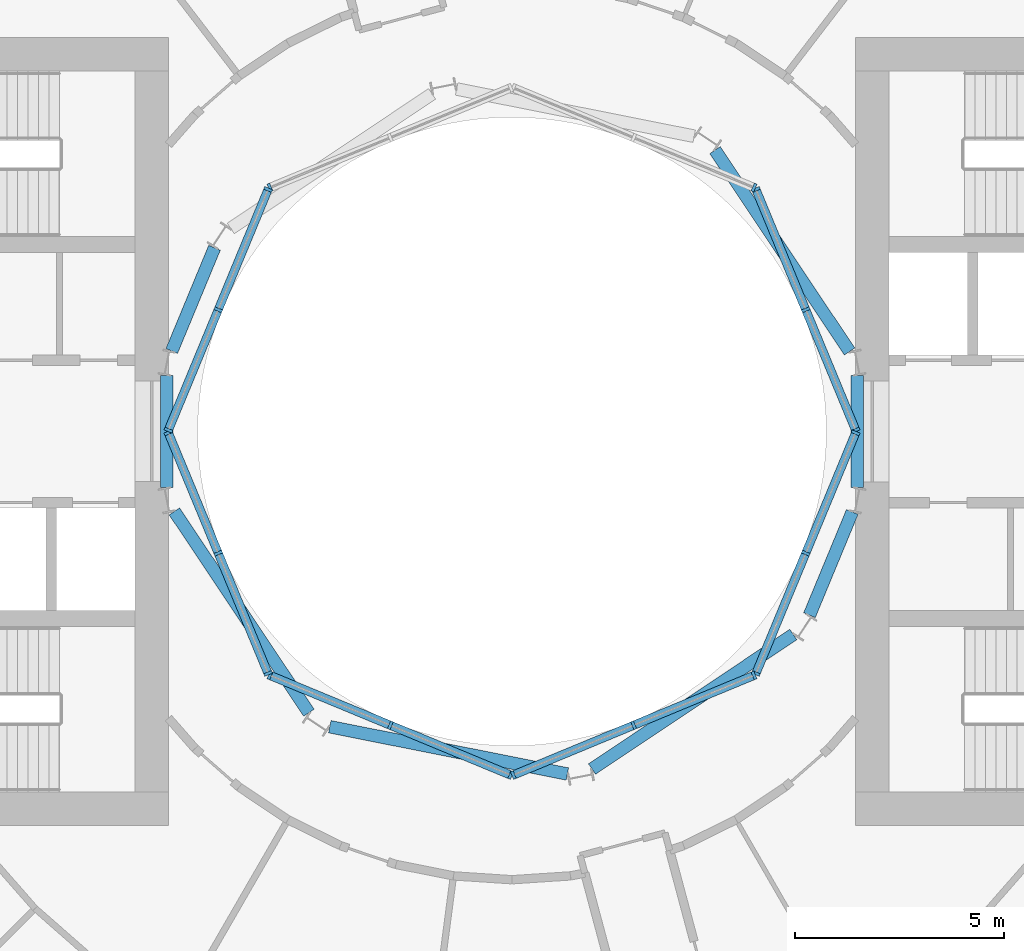
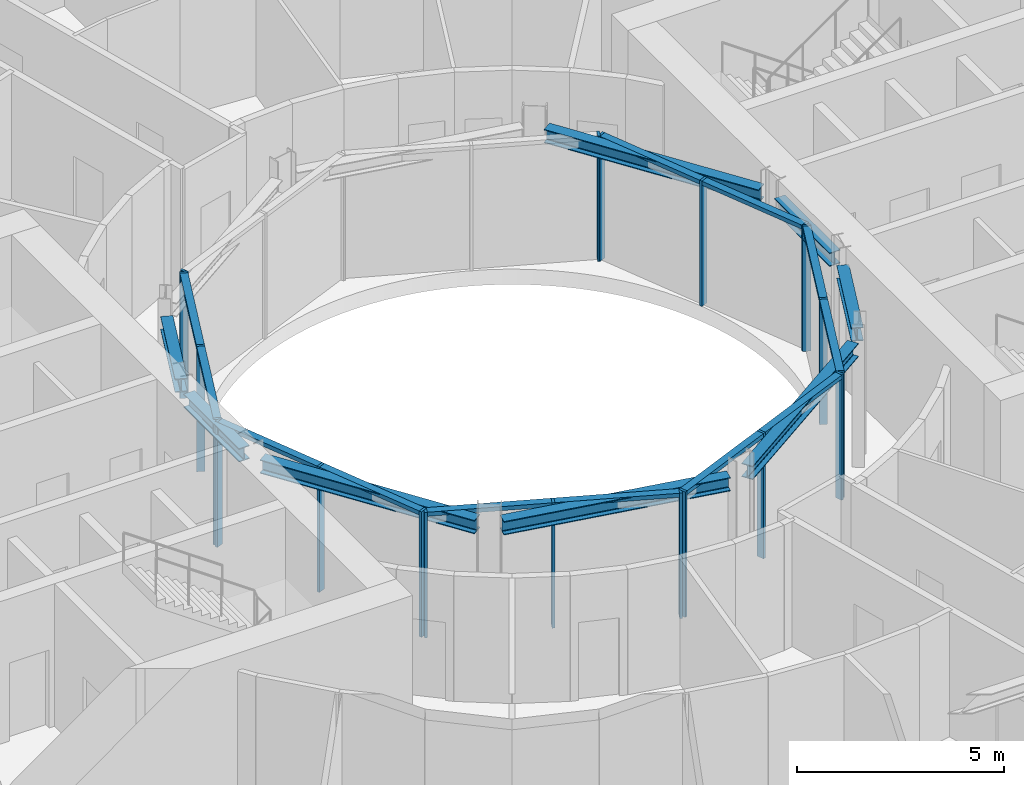
# One storey, part 8 of 29: 32 members, 8 beams, 8 elements without a shape of their own.
"""IFC4 building model written with IfcOpenShell, lengths in metres."""

from ifc_helpers import new_model, si_unit, direction, frame, origin, origin_2d, place, context, subcontext, project, spatial, rectangle, i_section, extrude, material, layer, layer_set, material_profile, profile_set, type_object, element, aggregate, save


model = new_model("IFC4")

# Units and contexts
model_context = context("Model", 3, precision=1e-05, world=origin(), true_north=direction((0.0, 1.0)))
body_context = subcontext(model_context, "Body", "Model", "MODEL_VIEW")
ifc_project = project(units=[si_unit("LENGTHUNIT", "METRE"), si_unit("AREAUNIT", "SQUARE_METRE"), si_unit("VOLUMEUNIT", "CUBIC_METRE"), si_unit("PLANEANGLEUNIT", "RADIAN"), si_unit("MASSUNIT", "GRAM", prefix="KILO")], contexts=[model_context])

# Site, building, storey
site_placement = place(None, origin())
site = spatial("IfcSite", under=ifc_project, at=site_placement, CompositionType="ELEMENT")
building_placement = place(site_placement, origin())
building = spatial("IfcBuilding", under=site, at=building_placement, Name="Maasbend Ring Residences", CompositionType="ELEMENT")
storey_placement = place(building_placement, frame((0.0, 0.0, 5.39990234375)))
storey = spatial("IfcBuildingStorey", under=building, at=storey_placement, Name="L01", CompositionType="ELEMENT", Elevation=5.39990234375)

# Curtain wall, members
ifc_material_1 = material(Name="Aluminium and clear glass", Category="aluminium")
ifc_layer = layer(ifc_material_1, 0.199951171875)
ifc_layer_set = layer_set([ifc_layer], Name="CW-LR")
curtain_wall_type = type_object("IfcCurtainWallType", Name="CW-LR", PredefinedType="NOTDEFINED", material=ifc_layer_set)
curtain_wall_1_placement = place(storey_placement, origin())
curtain_wall_1 = element("IfcCurtainWall", 1, at=curtain_wall_1_placement, inside=storey, type_object=curtain_wall_type, Name="Lobby ring curtain wall 01", PredefinedType="NOTDEFINED")
ifc_material_2 = material(Name="Aluminium 6063-T6", Category="aluminium")
ifc_material_profile_1 = material_profile(ifc_material_2, rectangle(XDim=0.199951171875, YDim=0.070068359375, at=origin_2d()), Name="AL 200x70")
ifc_profile_set_1 = profile_set([ifc_material_profile_1], Name="Aluminium 6063-T6")
member_type_1 = type_object("IfcMemberType", Name="CWM-LR", PredefinedType="MULLION", material=ifc_profile_set_1)
member_1_placement = place(storey_placement, frame((8.201904296875, 0.0322265625, 0.0), z_axis=(0.0, 0.0, 1.0), x_axis=(-0.923879532511, -0.382683432365, 0.0)))
member_1 = element("IfcMember", 2, at=member_1_placement, type_object=member_type_1, Name="Mullion podium lobby ring", PredefinedType="MULLION", context=body_context, shape_type="SweptSolid", body=[
    extrude(rectangle(XDim=0.199951171875, YDim=0.070068359375, at=origin_2d()), origin(), (0.0, 0.0, 1.0), 3.7001953125),
])
member_2_placement = place(storey_placement, frame((7.01220703125, 2.904541015625, 0.0), z_axis=(0.0, 0.0, 1.0), x_axis=(-0.923879532511, -0.382683432365, 0.0)))
member_2 = element("IfcMember", 3, at=member_2_placement, type_object=member_type_1, Name="Mullion podium lobby ring", PredefinedType="MULLION", context=body_context, shape_type="SweptSolid", body=[
    extrude(rectangle(XDim=0.199951171875, YDim=0.070068359375, at=origin_2d()), origin(), (0.0, 0.0, 1.0), 3.7001953125),
])
member_3_placement = place(storey_placement, frame((5.822509765625, 5.77685546875, 0.0), z_axis=(0.0, 0.0, 1.0), x_axis=(-0.923879532511, -0.382683432365, 0.0)))
member_3 = element("IfcMember", 4, at=member_3_placement, type_object=member_type_1, Name="Mullion podium lobby ring", PredefinedType="MULLION", context=body_context, shape_type="SweptSolid", body=[
    extrude(rectangle(XDim=0.199951171875, YDim=0.070068359375, at=origin_2d()), origin(), (0.0, 0.0, 1.0), 3.7001953125),
])

# Curtain wall, member
curtain_wall_2_placement = place(storey_placement, origin())
curtain_wall_2 = element("IfcCurtainWall", 5, at=curtain_wall_2_placement, inside=storey, type_object=curtain_wall_type, Name="Lobby ring curtain wall 02", PredefinedType="NOTDEFINED")
member_4_placement = place(storey_placement, frame((5.77685546875, 5.822509765625, 0.0), z_axis=(0.0, 0.0, 1.0), x_axis=(-0.382683432365, -0.923879532511, 0.0)))
member_4 = element("IfcMember", 6, at=member_4_placement, type_object=member_type_1, Name="Mullion podium lobby ring", PredefinedType="MULLION", context=body_context, shape_type="SweptSolid", body=[
    extrude(rectangle(XDim=0.199951171875, YDim=0.070068359375, at=origin_2d()), origin(), (0.0, 0.0, 1.0), 3.7001953125),
])
aggregate(curtain_wall_2, [member_4])

curtain_wall_3_placement = place(storey_placement, origin())
curtain_wall_3 = element("IfcCurtainWall", 7, at=curtain_wall_3_placement, inside=storey, type_object=curtain_wall_type, Name="Lobby ring curtain wall 03", PredefinedType="NOTDEFINED")
member_5_placement = place(storey_placement, frame((-5.77685546875, 5.822509765625, 0.0), z_axis=(0.0, 0.0, 1.0), x_axis=(0.382683432365, -0.923879532511, 0.0)))
member_5 = element("IfcMember", 8, at=member_5_placement, type_object=member_type_1, Name="Mullion podium lobby ring", PredefinedType="MULLION", context=body_context, shape_type="SweptSolid", body=[
    extrude(rectangle(XDim=0.199951171875, YDim=0.070068359375, at=origin_2d()), origin(), (0.0, 0.0, 1.0), 3.7001953125),
])
aggregate(curtain_wall_3, [member_5])

# Curtain wall, members
curtain_wall_4_placement = place(storey_placement, origin())
curtain_wall_4 = element("IfcCurtainWall", 9, at=curtain_wall_4_placement, inside=storey, type_object=curtain_wall_type, Name="Lobby ring curtain wall 04", PredefinedType="NOTDEFINED")
member_6_placement = place(storey_placement, frame((-5.822509765625, 5.77685546875, 0.0), z_axis=(0.0, 0.0, 1.0), x_axis=(0.923879532511, -0.382683432365, 0.0)))
member_6 = element("IfcMember", 10, at=member_6_placement, type_object=member_type_1, Name="Mullion podium lobby ring", PredefinedType="MULLION", context=body_context, shape_type="SweptSolid", body=[
    extrude(rectangle(XDim=0.199951171875, YDim=0.070068359375, at=origin_2d()), origin(), (0.0, 0.0, 1.0), 3.7001953125),
])
member_7_placement = place(storey_placement, frame((-7.01220703125, 2.904541015625, 0.0), z_axis=(0.0, 0.0, 1.0), x_axis=(0.923879532511, -0.382683432365, 0.0)))
member_7 = element("IfcMember", 11, at=member_7_placement, type_object=member_type_1, Name="Mullion podium lobby ring", PredefinedType="MULLION", context=body_context, shape_type="SweptSolid", body=[
    extrude(rectangle(XDim=0.199951171875, YDim=0.070068359375, at=origin_2d()), origin(), (0.0, 0.0, 1.0), 3.7001953125),
])
member_8_placement = place(storey_placement, frame((-8.201904296875, 0.0322265625, 0.0), z_axis=(0.0, 0.0, 1.0), x_axis=(0.923879532511, -0.382683432365, 0.0)))
member_8 = element("IfcMember", 12, at=member_8_placement, type_object=member_type_1, Name="Mullion podium lobby ring", PredefinedType="MULLION", context=body_context, shape_type="SweptSolid", body=[
    extrude(rectangle(XDim=0.199951171875, YDim=0.070068359375, at=origin_2d()), origin(), (0.0, 0.0, 1.0), 3.7001953125),
])

curtain_wall_5_placement = place(storey_placement, origin())
curtain_wall_5 = element("IfcCurtainWall", 13, at=curtain_wall_5_placement, inside=storey, type_object=curtain_wall_type, Name="Lobby ring curtain wall 05", PredefinedType="NOTDEFINED")
member_9_placement = place(storey_placement, frame((-8.201904296875, -0.0322265625, 0.0), z_axis=(0.0, 0.0, 1.0), x_axis=(0.923879532511, 0.382683432365, 0.0)))
member_9 = element("IfcMember", 14, at=member_9_placement, type_object=member_type_1, Name="Mullion podium lobby ring", PredefinedType="MULLION", context=body_context, shape_type="SweptSolid", body=[
    extrude(rectangle(XDim=0.199951171875, YDim=0.070068359375, at=origin_2d()), origin(), (0.0, 0.0, 1.0), 3.7001953125),
])
member_10_placement = place(storey_placement, frame((-7.01220703125, -2.904541015625, 0.0), z_axis=(0.0, 0.0, 1.0), x_axis=(0.923879532511, 0.382683432365, 0.0)))
member_10 = element("IfcMember", 15, at=member_10_placement, type_object=member_type_1, Name="Mullion podium lobby ring", PredefinedType="MULLION", context=body_context, shape_type="SweptSolid", body=[
    extrude(rectangle(XDim=0.199951171875, YDim=0.070068359375, at=origin_2d()), origin(), (0.0, 0.0, 1.0), 3.7001953125),
])
member_11_placement = place(storey_placement, frame((-5.822509765625, -5.77685546875, 0.0), z_axis=(0.0, 0.0, 1.0), x_axis=(0.923879532511, 0.382683432365, 0.0)))
member_11 = element("IfcMember", 16, at=member_11_placement, type_object=member_type_1, Name="Mullion podium lobby ring", PredefinedType="MULLION", context=body_context, shape_type="SweptSolid", body=[
    extrude(rectangle(XDim=0.199951171875, YDim=0.070068359375, at=origin_2d()), origin(), (0.0, 0.0, 1.0), 3.7001953125),
])

curtain_wall_6_placement = place(storey_placement, origin())
curtain_wall_6 = element("IfcCurtainWall", 17, at=curtain_wall_6_placement, inside=storey, type_object=curtain_wall_type, Name="Lobby ring curtain wall 06", PredefinedType="NOTDEFINED")
member_12_placement = place(storey_placement, frame((-5.77685546875, -5.822509765625, 0.0), z_axis=(0.0, 0.0, 1.0), x_axis=(0.382683432365, 0.923879532511, 0.0)))
member_12 = element("IfcMember", 18, at=member_12_placement, type_object=member_type_1, Name="Mullion podium lobby ring", PredefinedType="MULLION", context=body_context, shape_type="SweptSolid", body=[
    extrude(rectangle(XDim=0.199951171875, YDim=0.070068359375, at=origin_2d()), origin(), (0.0, 0.0, 1.0), 3.7001953125),
])
member_13_placement = place(storey_placement, frame((-2.904541015625, -7.01220703125, 0.0), z_axis=(0.0, 0.0, 1.0), x_axis=(0.382683432365, 0.923879532511, 0.0)))
member_13 = element("IfcMember", 19, at=member_13_placement, type_object=member_type_1, Name="Mullion podium lobby ring", PredefinedType="MULLION", context=body_context, shape_type="SweptSolid", body=[
    extrude(rectangle(XDim=0.199951171875, YDim=0.070068359375, at=origin_2d()), origin(), (0.0, 0.0, 1.0), 3.7001953125),
])
member_14_placement = place(storey_placement, frame((-0.0322265625, -8.201904296875, 0.0), z_axis=(0.0, 0.0, 1.0), x_axis=(0.382683432365, 0.923879532511, 0.0)))
member_14 = element("IfcMember", 20, at=member_14_placement, type_object=member_type_1, Name="Mullion podium lobby ring", PredefinedType="MULLION", context=body_context, shape_type="SweptSolid", body=[
    extrude(rectangle(XDim=0.199951171875, YDim=0.070068359375, at=origin_2d()), origin(), (0.0, 0.0, 1.0), 3.7001953125),
])

curtain_wall_7_placement = place(storey_placement, origin())
curtain_wall_7 = element("IfcCurtainWall", 21, at=curtain_wall_7_placement, inside=storey, type_object=curtain_wall_type, Name="Lobby ring curtain wall 07", PredefinedType="NOTDEFINED")
member_15_placement = place(storey_placement, frame((0.0322265625, -8.201904296875, 0.0), z_axis=(0.0, 0.0, 1.0), x_axis=(-0.382683432365, 0.923879532511, 0.0)))
member_15 = element("IfcMember", 22, at=member_15_placement, type_object=member_type_1, Name="Mullion podium lobby ring", PredefinedType="MULLION", context=body_context, shape_type="SweptSolid", body=[
    extrude(rectangle(XDim=0.199951171875, YDim=0.070068359375, at=origin_2d()), origin(), (0.0, 0.0, 1.0), 3.7001953125),
])
member_16_placement = place(storey_placement, frame((2.904541015625, -7.01220703125, 0.0), z_axis=(0.0, 0.0, 1.0), x_axis=(-0.382683432365, 0.923879532511, 0.0)))
member_16 = element("IfcMember", 23, at=member_16_placement, type_object=member_type_1, Name="Mullion podium lobby ring", PredefinedType="MULLION", context=body_context, shape_type="SweptSolid", body=[
    extrude(rectangle(XDim=0.199951171875, YDim=0.070068359375, at=origin_2d()), origin(), (0.0, 0.0, 1.0), 3.7001953125),
])
member_17_placement = place(storey_placement, frame((5.77685546875, -5.822509765625, 0.0), z_axis=(0.0, 0.0, 1.0), x_axis=(-0.382683432365, 0.923879532511, 0.0)))
member_17 = element("IfcMember", 24, at=member_17_placement, type_object=member_type_1, Name="Mullion podium lobby ring", PredefinedType="MULLION", context=body_context, shape_type="SweptSolid", body=[
    extrude(rectangle(XDim=0.199951171875, YDim=0.070068359375, at=origin_2d()), origin(), (0.0, 0.0, 1.0), 3.7001953125),
])

curtain_wall_8_placement = place(storey_placement, origin())
curtain_wall_8 = element("IfcCurtainWall", 25, at=curtain_wall_8_placement, inside=storey, type_object=curtain_wall_type, Name="Lobby ring curtain wall 08", PredefinedType="NOTDEFINED")
member_18_placement = place(storey_placement, frame((5.822509765625, -5.77685546875, 0.0), z_axis=(0.0, 0.0, 1.0), x_axis=(-0.923879532511, 0.382683432365, 0.0)))
member_18 = element("IfcMember", 26, at=member_18_placement, type_object=member_type_1, Name="Mullion podium lobby ring", PredefinedType="MULLION", context=body_context, shape_type="SweptSolid", body=[
    extrude(rectangle(XDim=0.199951171875, YDim=0.070068359375, at=origin_2d()), origin(), (0.0, 0.0, 1.0), 3.7001953125),
])
member_19_placement = place(storey_placement, frame((7.01220703125, -2.904541015625, 0.0), z_axis=(0.0, 0.0, 1.0), x_axis=(-0.923879532511, 0.382683432365, 0.0)))
member_19 = element("IfcMember", 27, at=member_19_placement, type_object=member_type_1, Name="Mullion podium lobby ring", PredefinedType="MULLION", context=body_context, shape_type="SweptSolid", body=[
    extrude(rectangle(XDim=0.199951171875, YDim=0.070068359375, at=origin_2d()), origin(), (0.0, 0.0, 1.0), 3.7001953125),
])
member_20_placement = place(storey_placement, frame((8.201904296875, -0.0322265625, 0.0), z_axis=(0.0, 0.0, 1.0), x_axis=(-0.923879532511, 0.382683432365, 0.0)))
member_20 = element("IfcMember", 28, at=member_20_placement, type_object=member_type_1, Name="Mullion podium lobby ring", PredefinedType="MULLION", context=body_context, shape_type="SweptSolid", body=[
    extrude(rectangle(XDim=0.199951171875, YDim=0.070068359375, at=origin_2d()), origin(), (0.0, 0.0, 1.0), 3.7001953125),
])

# Member
ifc_material_3 = material(Name="Aluminium 6063-T6", Category="aluminium")
ifc_material_profile_2 = material_profile(ifc_material_3, rectangle(XDim=0.199951171875, YDim=0.1201171875, at=origin_2d()), Name="AL 200x120")
ifc_profile_set_2 = profile_set([ifc_material_profile_2], Name="Aluminium 6063-T6")
member_type_2 = type_object("IfcMemberType", Name="CWT-LR", PredefinedType="USERDEFINED", material=ifc_profile_set_2)
member_21_placement = place(storey_placement, frame((8.1884765625, 0.064697265625, 3.64013671875), z_axis=(-0.382652165019, 0.92389248325, 0.0), x_axis=(-0.92389248325, -0.382652165019, 0.0)))
member_21 = element("IfcMember", 29, at=member_21_placement, type_object=member_type_2, Name="Transom podium lobby ring", ObjectType="TRANSOM", PredefinedType="USERDEFINED", context=body_context, shape_type="SweptSolid", body=[
    extrude(rectangle(XDim=0.199951171875, YDim=0.1201171875, at=origin_2d()), origin(), (0.0, 0.0, 1.0), 3.038818359375),
])

member_22_placement = place(storey_placement, frame((6.998779296875, 2.93701171875, 3.64013671875), z_axis=(-0.382680568965, 0.923880718565, 0.0), x_axis=(-0.923880718565, -0.382680568965, 0.0)))
member_22 = element("IfcMember", 30, at=member_22_placement, type_object=member_type_2, Name="Transom podium lobby ring", ObjectType="TRANSOM", PredefinedType="USERDEFINED", context=body_context, shape_type="SweptSolid", body=[
    extrude(rectangle(XDim=0.199951171875, YDim=0.1201171875, at=origin_2d()), origin(), (0.0, 0.0, 1.0), 3.03857421875),
])

aggregate(curtain_wall_1, [member_1, member_2, member_3, member_21, member_22])

member_23_placement = place(storey_placement, frame((-5.8359375, 5.744384765625, 3.64013671875), z_axis=(-0.382680568965, -0.923880718565, 0.0), x_axis=(0.923880718565, -0.382680568965, 0.0)))
member_23 = element("IfcMember", 31, at=member_23_placement, type_object=member_type_2, Name="Transom podium lobby ring", ObjectType="TRANSOM", PredefinedType="USERDEFINED", context=body_context, shape_type="SweptSolid", body=[
    extrude(rectangle(XDim=0.199951171875, YDim=0.1201171875, at=origin_2d()), origin(), (0.0, 0.0, 1.0), 3.03857421875),
])

member_24_placement = place(storey_placement, frame((-7.025634765625, 2.872314453125, 3.64013671875), z_axis=(-0.382652165019, -0.92389248325, 0.0), x_axis=(0.92389248325, -0.382652165019, 0.0)))
member_24 = element("IfcMember", 32, at=member_24_placement, type_object=member_type_2, Name="Transom podium lobby ring", ObjectType="TRANSOM", PredefinedType="USERDEFINED", context=body_context, shape_type="SweptSolid", body=[
    extrude(rectangle(XDim=0.199951171875, YDim=0.1201171875, at=origin_2d()), origin(), (0.0, 0.0, 1.0), 3.038818359375),
])

aggregate(curtain_wall_4, [member_6, member_7, member_8, member_23, member_24])

member_25_placement = place(storey_placement, frame((-8.1884765625, -0.064697265625, 3.64013671875), z_axis=(0.382652165019, -0.92389248325, 0.0), x_axis=(0.92389248325, 0.382652165019, 0.0)))
member_25 = element("IfcMember", 33, at=member_25_placement, type_object=member_type_2, Name="Transom podium lobby ring", ObjectType="TRANSOM", PredefinedType="USERDEFINED", context=body_context, shape_type="SweptSolid", body=[
    extrude(rectangle(XDim=0.199951171875, YDim=0.1201171875, at=origin_2d()), origin(), (0.0, 0.0, 1.0), 3.038818359375),
])

member_26_placement = place(storey_placement, frame((-6.998779296875, -2.93701171875, 3.64013671875), z_axis=(0.382680568965, -0.923880718565, 0.0), x_axis=(0.923880718565, 0.382680568965, 0.0)))
member_26 = element("IfcMember", 34, at=member_26_placement, type_object=member_type_2, Name="Transom podium lobby ring", ObjectType="TRANSOM", PredefinedType="USERDEFINED", context=body_context, shape_type="SweptSolid", body=[
    extrude(rectangle(XDim=0.199951171875, YDim=0.1201171875, at=origin_2d()), origin(), (0.0, 0.0, 1.0), 3.03857421875),
])

aggregate(curtain_wall_5, [member_9, member_10, member_11, member_25, member_26])

member_27_placement = place(storey_placement, frame((-5.744384765625, -5.8359375, 3.64013671875), z_axis=(0.923880718565, -0.382680568965, 0.0), x_axis=(0.382680568965, 0.923880718565, 0.0)))
member_27 = element("IfcMember", 35, at=member_27_placement, type_object=member_type_2, Name="Transom podium lobby ring", ObjectType="TRANSOM", PredefinedType="USERDEFINED", context=body_context, shape_type="SweptSolid", body=[
    extrude(rectangle(XDim=0.199951171875, YDim=0.1201171875, at=origin_2d()), origin(), (0.0, 0.0, 1.0), 3.03857421875),
])

member_28_placement = place(storey_placement, frame((-2.872314453125, -7.025634765625, 3.64013671875), z_axis=(0.92389248325, -0.382652165019, 0.0), x_axis=(0.382652165019, 0.92389248325, 0.0)))
member_28 = element("IfcMember", 36, at=member_28_placement, type_object=member_type_2, Name="Transom podium lobby ring", ObjectType="TRANSOM", PredefinedType="USERDEFINED", context=body_context, shape_type="SweptSolid", body=[
    extrude(rectangle(XDim=0.199951171875, YDim=0.1201171875, at=origin_2d()), origin(), (0.0, 0.0, 1.0), 3.038818359375),
])

aggregate(curtain_wall_6, [member_12, member_13, member_14, member_27, member_28])

member_29_placement = place(storey_placement, frame((0.064697265625, -8.1884765625, 3.64013671875), z_axis=(0.92389248325, 0.382652165019, 0.0), x_axis=(-0.382652165019, 0.92389248325, 0.0)))
member_29 = element("IfcMember", 37, at=member_29_placement, type_object=member_type_2, Name="Transom podium lobby ring", ObjectType="TRANSOM", PredefinedType="USERDEFINED", context=body_context, shape_type="SweptSolid", body=[
    extrude(rectangle(XDim=0.199951171875, YDim=0.1201171875, at=origin_2d()), origin(), (0.0, 0.0, 1.0), 3.038818359375),
])

member_30_placement = place(storey_placement, frame((2.93701171875, -6.998779296875, 3.64013671875), z_axis=(0.923880718565, 0.382680568965, 0.0), x_axis=(-0.382680568965, 0.923880718565, 0.0)))
member_30 = element("IfcMember", 38, at=member_30_placement, type_object=member_type_2, Name="Transom podium lobby ring", ObjectType="TRANSOM", PredefinedType="USERDEFINED", context=body_context, shape_type="SweptSolid", body=[
    extrude(rectangle(XDim=0.199951171875, YDim=0.1201171875, at=origin_2d()), origin(), (0.0, 0.0, 1.0), 3.03857421875),
])

aggregate(curtain_wall_7, [member_15, member_16, member_17, member_29, member_30])

member_31_placement = place(storey_placement, frame((5.8359375, -5.744384765625, 3.64013671875), z_axis=(0.382680568965, 0.923880718565, 0.0), x_axis=(-0.923880718565, 0.382680568965, 0.0)))
member_31 = element("IfcMember", 39, at=member_31_placement, type_object=member_type_2, Name="Transom podium lobby ring", ObjectType="TRANSOM", PredefinedType="USERDEFINED", context=body_context, shape_type="SweptSolid", body=[
    extrude(rectangle(XDim=0.199951171875, YDim=0.1201171875, at=origin_2d()), origin(), (0.0, 0.0, 1.0), 3.03857421875),
])

member_32_placement = place(storey_placement, frame((7.025634765625, -2.872314453125, 3.64013671875), z_axis=(0.382652165019, 0.92389248325, 0.0), x_axis=(-0.92389248325, 0.382652165019, 0.0)))
member_32 = element("IfcMember", 40, at=member_32_placement, type_object=member_type_2, Name="Transom podium lobby ring", ObjectType="TRANSOM", PredefinedType="USERDEFINED", context=body_context, shape_type="SweptSolid", body=[
    extrude(rectangle(XDim=0.199951171875, YDim=0.1201171875, at=origin_2d()), origin(), (0.0, 0.0, 1.0), 3.038818359375),
])

aggregate(curtain_wall_8, [member_18, member_19, member_20, member_31, member_32])

# Beams
ifc_material_4 = material(Name="Steel S355J2", Category="steel")
ifc_material_profile_3 = material_profile(ifc_material_4, i_section(OverallWidth=0.300048828125, OverallDepth=0.39990234375, WebThickness=0.013427734375, FlangeThickness=0.02392578125, FilletRadius=0.027099609375, at=origin_2d()), Name="HEB 400")
ifc_profile_set_3 = profile_set([ifc_material_profile_3], Name="Steel S355J2")
beam_type = type_object("IfcBeamType", Name="Well edge beam HEB 400", PredefinedType="BEAM", material=ifc_profile_set_3)
beam_1_placement = place(storey_placement, frame((8.05810546875, 1.90869140625, 3.5), z_axis=(-0.555557724977, 0.831477969773, 0.0), x_axis=(-0.831477969773, -0.555557724977, 0.0)))
element("IfcBeam", 41, at=beam_1_placement, inside=storey, type_object=beam_type, Name="Well edge beam", PredefinedType="BEAM", context=body_context, shape_type="SweptSolid", body=[
    extrude(i_section(OverallWidth=0.300048828125, OverallDepth=0.39990234375, WebThickness=0.013427734375, FlangeThickness=0.02392578125, FilletRadius=0.027099609375, at=origin_2d()), origin(), (0.0, 0.0, 1.0), 5.77978515625),
])
beam_2_placement = place(storey_placement, frame((-7.101318359375, 4.38427734375, 3.5), z_axis=(-0.382715761492, -0.923866140686, 0.0), x_axis=(0.923866140686, -0.382715761492, 0.0)))
element("IfcBeam", 42, at=beam_2_placement, inside=storey, type_object=beam_type, Name="Well edge beam", PredefinedType="BEAM", context=body_context, shape_type="SweptSolid", body=[
    extrude(i_section(OverallWidth=0.300048828125, OverallDepth=0.39990234375, WebThickness=0.013427734375, FlangeThickness=0.02392578125, FilletRadius=0.027099609375, at=origin_2d()), origin(), (0.0, 0.0, 1.0), 2.665771484375),
])
beam_3_placement = place(storey_placement, frame((-8.238525390625, 1.3330078125, 3.5), z_axis=(0.0, -1.0, 0.0), x_axis=(1.0, 0.0, 0.0)))
element("IfcBeam", 43, at=beam_3_placement, inside=storey, type_object=beam_type, Name="Well edge beam", PredefinedType="BEAM", context=body_context, shape_type="SweptSolid", body=[
    extrude(i_section(OverallWidth=0.300048828125, OverallDepth=0.39990234375, WebThickness=0.013427734375, FlangeThickness=0.02392578125, FilletRadius=0.027099609375, at=origin_2d()), origin(), (0.0, 0.0, 1.0), 2.666015625),
])
for number, where, z_axis, x_axis, name in (
    (44, (-8.05810546875, -1.90869140625, 3.5), (0.555557724977, -0.831477969773, 0.0), (0.831477969773, 0.555557724977, 0.0), "Well edge beam"),
    (45, (-4.348388671875, -7.047607421875, 3.5), (0.980781612923, -0.195108758779, 0.0), (0.195108758779, 0.980781612923, 0.0), "Well edge beam"),
    (46, (1.90869140625, -8.05810546875, 3.5), (0.831477969773, 0.555557724977, 0.0), (-0.555557724977, 0.831477969773, 0.0), "Well edge beam"),
):
    element("IfcBeam", number, at=place(storey_placement, frame(where, z_axis=z_axis, x_axis=x_axis)), inside=storey, type_object=beam_type, Name=name, PredefinedType="BEAM", context=body_context, shape_type="SweptSolid", body=[
        extrude(i_section(OverallWidth=0.300048828125, OverallDepth=0.39990234375, WebThickness=0.013427734375, FlangeThickness=0.02392578125, FilletRadius=0.027099609375, at=origin_2d()), origin(), (0.0, 0.0, 1.0), 5.77978515625),
    ])
beam_4_placement = place(storey_placement, frame((7.101318359375, -4.38427734375, 3.5), z_axis=(0.382715761492, 0.923866140686, 0.0), x_axis=(-0.923866140686, 0.382715761492, 0.0)))
element("IfcBeam", 47, at=beam_4_placement, inside=storey, type_object=beam_type, Name="Well edge beam", PredefinedType="BEAM", context=body_context, shape_type="SweptSolid", body=[
    extrude(i_section(OverallWidth=0.300048828125, OverallDepth=0.39990234375, WebThickness=0.013427734375, FlangeThickness=0.02392578125, FilletRadius=0.027099609375, at=origin_2d()), origin(), (0.0, 0.0, 1.0), 2.665771484375),
])
beam_5_placement = place(storey_placement, frame((8.238525390625, -1.3330078125, 3.5), z_axis=(0.0, 1.0, 0.0), x_axis=(-1.0, 0.0, 0.0)))
element("IfcBeam", 48, at=beam_5_placement, inside=storey, type_object=beam_type, Name="Well edge beam", PredefinedType="BEAM", context=body_context, shape_type="SweptSolid", body=[
    extrude(i_section(OverallWidth=0.300048828125, OverallDepth=0.39990234375, WebThickness=0.013427734375, FlangeThickness=0.02392578125, FilletRadius=0.027099609375, at=origin_2d()), origin(), (0.0, 0.0, 1.0), 2.666015625),
])

save(model, "model.ifc")
